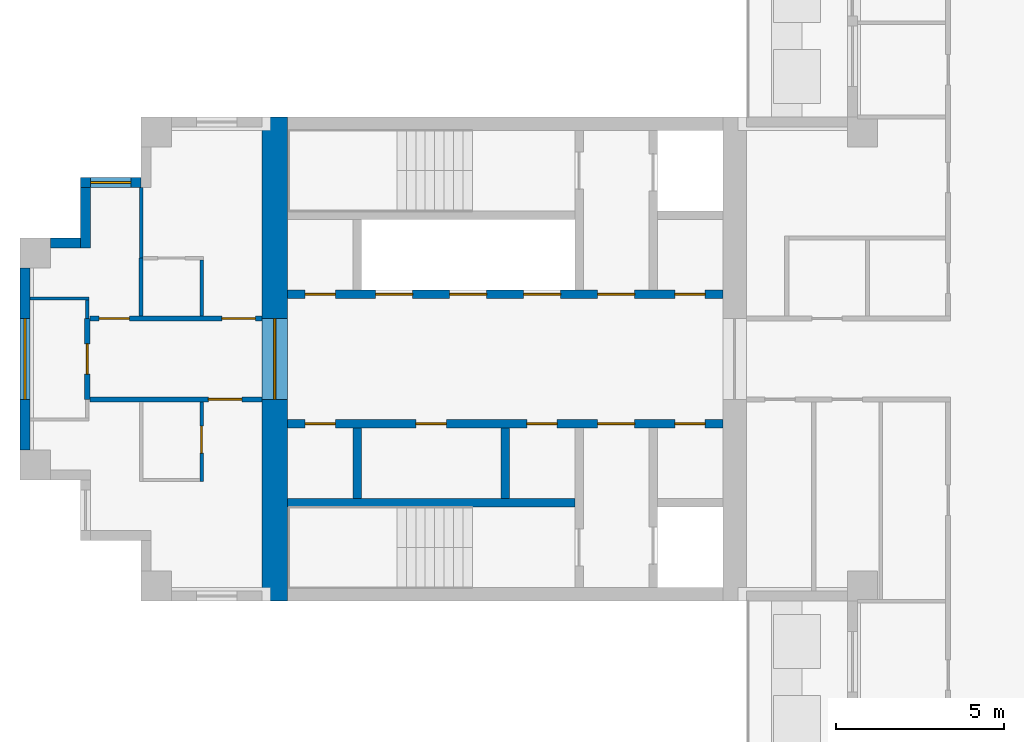
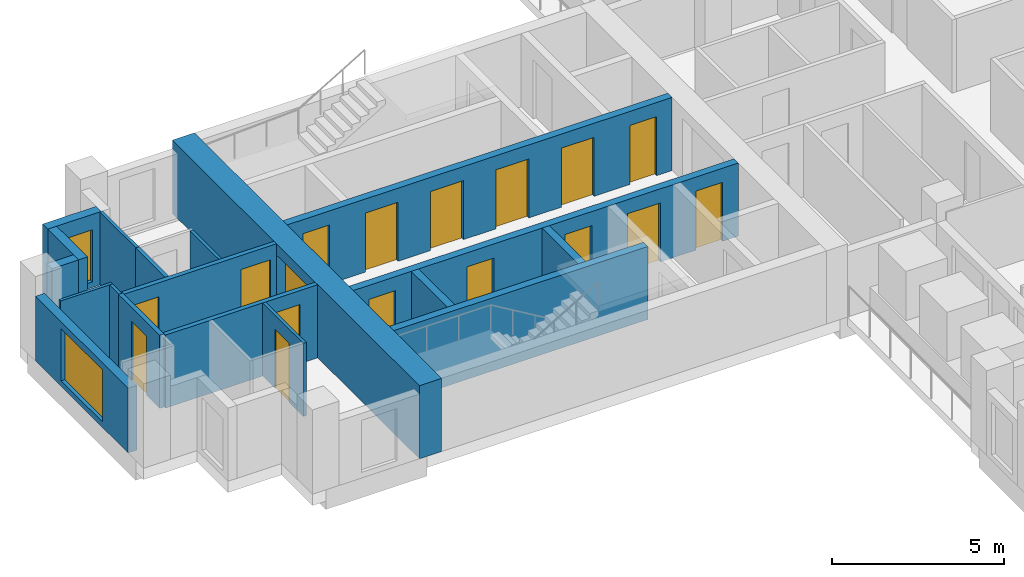
# One storey, part 3 of 10: 19 walls, 17 doors, 2 windows, 19 openings.
"""IFC4 building model written with IfcOpenShell, lengths in metres."""

from ifc_helpers import new_model, si_unit, direction, frame, frame_2d, origin, place, context, subcontext, project, spatial, rectangle, extrude, material, layer, layer_set, type_object, element, fill, save


model = new_model("IFC4")

# Units and contexts
model_context = context("Model", 3, precision=1e-05, world=origin(), true_north=direction((0.0, 1.0)))
body_context = subcontext(model_context, "Body", "Model", "MODEL_VIEW")
ifc_project = project(units=[si_unit("LENGTHUNIT", "METRE"), si_unit("AREAUNIT", "SQUARE_METRE"), si_unit("VOLUMEUNIT", "CUBIC_METRE"), si_unit("PLANEANGLEUNIT", "RADIAN"), si_unit("MASSUNIT", "GRAM", prefix="KILO")], contexts=[model_context])

# Site, building, storey
site_placement = place(None, origin())
site = spatial("IfcSite", under=ifc_project, at=site_placement, CompositionType="ELEMENT")
building_placement = place(site_placement, origin())
building = spatial("IfcBuilding", under=site, at=building_placement, Name="Fustian Cross Tower", CompositionType="ELEMENT")
storey_placement = place(building_placement, frame((0.0, 0.0, 231.89990234375)))
storey = spatial("IfcBuildingStorey", under=building, at=storey_placement, Name="L73", CompositionType="ELEMENT", Elevation=231.89990234375)

# Wall, opening, door
ifc_material_1 = material(Name="Plasterboard on steel stud", Category="steel")
ifc_layer_1 = layer(ifc_material_1, 0.14990234375)
ifc_layer_set_1 = layer_set([ifc_layer_1], Name="Plasterboard on steel stud")
wall_type_1 = type_object("IfcWallType", Name="COMPARTMENT WALL 150 EI 60", PredefinedType="PARTITIONING", material=ifc_layer_set_1)
wall_1_placement = place(storey_placement, frame((-26.800048828125, -1.199951171875, 0.0), z_axis=(0.0, 0.0, 1.0), x_axis=(0.0, 1.0, 0.0)))
wall_1 = element("IfcWall", 1, at=wall_1_placement, inside=storey, type_object=wall_type_1, Name="Partition 4", PredefinedType="PARTITIONING", context=body_context, shape_type="SweptSolid", body=[
    extrude(rectangle(XDim=2.39990234375, YDim=0.14990234375, at=frame_2d((1.199951171875, 0.0))), origin(), (0.0, 0.0, 1.0), 2.60009765625),
])
opening_1_placement = place(wall_1_placement, frame((0.75, 0.0, 0.0)))
opening_1 = element("IfcOpeningElement", 2, at=opening_1_placement, cuts=wall_1, Name="Opening D33026", PredefinedType="OPENING", context=body_context, shape_type="SweptSolid", body=[
    extrude(rectangle(XDim=0.89990234375, YDim=2.10009765625, at=frame_2d((0.449951171875, 1.050048828125))), frame((0.0, 0.0849609375, 0.0), z_axis=(0.0, -1.0, 0.0), x_axis=(1.0, 0.0, 0.0)), (0.0, 0.0, 1.0), 0.169921875),
])
ifc_material_2 = material(Name="Timber fire door set", Category="wood")
door_type_1 = type_object("IfcDoorType", Name="FIRE SWING DOOR 900 FD30S", OperationType="SINGLE_SWING_LEFT", PredefinedType="DOOR", material=ifc_material_2)
door_1_placement = place(opening_1_placement, origin())
door_1 = element("IfcDoor", 3, at=door_1_placement, inside=storey, type_object=door_type_1, Name="Door D33026", OperationType="SINGLE_SWING_LEFT", OverallHeight=2.10009765625, OverallWidth=0.89990234375, PredefinedType="DOOR", context=body_context, shape_type="SweptSolid", body=[
    extrude(rectangle(XDim=0.89990234375, YDim=2.10009765625, at=frame_2d((0.449951171875, 1.050048828125))), frame((0.0, 0.02490234375, 0.0), z_axis=(0.0, -1.0, 0.0), x_axis=(1.0, 0.0, 0.0)), (0.0, 0.0, 1.0), 0.050048828125),
])
fill(opening_1, door_1)

wall_2_placement = place(storey_placement, frame((-26.72509765625, -1.199951171875, 0.0), z_axis=(0.0, 0.0, 1.0), x_axis=(1.0, 0.0, 0.0)))
wall_2 = element("IfcWall", 4, at=wall_2_placement, inside=storey, type_object=wall_type_1, Name="Partition 5", PredefinedType="PARTITIONING", context=body_context, shape_type="SweptSolid", body=[
    extrude(rectangle(XDim=5.125, YDim=0.14990234375, at=frame_2d((2.5625, 0.0))), origin(), (0.0, 0.0, 1.0), 2.60009765625),
])
opening_2_placement = place(wall_2_placement, frame((3.52490234375, 0.0, 0.0)))
opening_2 = element("IfcOpeningElement", 5, at=opening_2_placement, cuts=wall_2, Name="Opening D33028", PredefinedType="OPENING", context=body_context, shape_type="SweptSolid", body=[
    extrude(rectangle(XDim=1.0, YDim=2.10009765625, at=frame_2d((0.5, 1.050048828125))), frame((0.0, 0.0849609375, 0.0), z_axis=(0.0, -1.0, 0.0), x_axis=(1.0, 0.0, 0.0)), (0.0, 0.0, 1.0), 0.169921875),
])
ifc_material_3 = material(Name="Timber fire door set", Category="wood")
door_type_2 = type_object("IfcDoorType", Name="FIRE SWING DOOR 1000 FD30S", OperationType="SINGLE_SWING_LEFT", PredefinedType="DOOR", material=ifc_material_3)
door_2_placement = place(opening_2_placement, frame((1.0, 0.0, 0.0), z_axis=(0.0, 0.0, 1.0), x_axis=(-1.0, 0.0, 0.0)))
door_2 = element("IfcDoor", 6, at=door_2_placement, inside=storey, type_object=door_type_2, Name="Door D33028", OperationType="SINGLE_SWING_RIGHT", OverallHeight=2.10009765625, OverallWidth=1.0, PredefinedType="DOOR", context=body_context, shape_type="SweptSolid", body=[
    extrude(rectangle(XDim=1.0, YDim=2.10009765625, at=frame_2d((0.5, 1.050048828125))), frame((0.0, 0.02490234375, 0.0), z_axis=(0.0, -1.0, 0.0), x_axis=(1.0, 0.0, 0.0)), (0.0, 0.0, 1.0), 0.050048828125),
])
fill(opening_2, door_2)

# Wall, openings, doors
wall_3_placement = place(storey_placement, frame((-26.72509765625, 1.199951171875, 0.0), z_axis=(0.0, 0.0, 1.0), x_axis=(1.0, 0.0, 0.0)))
wall_3 = element("IfcWall", 7, at=wall_3_placement, inside=storey, type_object=wall_type_1, Name="Partition 7", PredefinedType="PARTITIONING", context=body_context, shape_type="SweptSolid", body=[
    extrude(rectangle(XDim=5.125, YDim=0.14990234375, at=frame_2d((2.5625, 0.0))), origin(), (0.0, 0.0, 1.0), 2.60009765625),
])
opening_3_placement = place(wall_3_placement, frame((3.925048828125, 0.0, 0.0)))
opening_3 = element("IfcOpeningElement", 8, at=opening_3_placement, cuts=wall_3, Name="Opening D33030", PredefinedType="OPENING", context=body_context, shape_type="SweptSolid", body=[
    extrude(rectangle(XDim=1.0, YDim=2.10009765625, at=frame_2d((0.5, 1.050048828125))), frame((0.0, 0.0849609375, 0.0), z_axis=(0.0, -1.0, 0.0), x_axis=(1.0, 0.0, 0.0)), (0.0, 0.0, 1.0), 0.169921875),
])
opening_4_placement = place(wall_3_placement, frame((0.27490234375, 0.0, 0.0)))
opening_4 = element("IfcOpeningElement", 9, at=opening_4_placement, cuts=wall_3, Name="Opening D33031", PredefinedType="OPENING", context=body_context, shape_type="SweptSolid", body=[
    extrude(rectangle(XDim=0.89990234375, YDim=2.10009765625, at=frame_2d((0.449951171875, 1.050048828125))), frame((0.0, 0.0849609375, 0.0), z_axis=(0.0, -1.0, 0.0), x_axis=(1.0, 0.0, 0.0)), (0.0, 0.0, 1.0), 0.169921875),
])
door_3_placement = place(opening_3_placement, origin())
door_3 = element("IfcDoor", 10, at=door_3_placement, inside=storey, type_object=door_type_2, Name="Door D33030", OperationType="SINGLE_SWING_RIGHT", OverallHeight=2.10009765625, OverallWidth=1.0, PredefinedType="DOOR", context=body_context, shape_type="SweptSolid", body=[
    extrude(rectangle(XDim=1.0, YDim=2.10009765625, at=frame_2d((0.5, 1.050048828125))), frame((0.0, 0.02490234375, 0.0), z_axis=(0.0, -1.0, 0.0), x_axis=(1.0, 0.0, 0.0)), (0.0, 0.0, 1.0), 0.050048828125),
])
fill(opening_3, door_3)
door_4_placement = place(opening_4_placement, origin())
door_4 = element("IfcDoor", 11, at=door_4_placement, inside=storey, type_object=door_type_1, Name="Door D33031", OperationType="SINGLE_SWING_LEFT", OverallHeight=2.10009765625, OverallWidth=0.89990234375, PredefinedType="DOOR", context=body_context, shape_type="SweptSolid", body=[
    extrude(rectangle(XDim=0.89990234375, YDim=2.10009765625, at=frame_2d((0.449951171875, 1.050048828125))), frame((0.0, 0.02490234375, 0.0), z_axis=(0.0, -1.0, 0.0), x_axis=(1.0, 0.0, 0.0)), (0.0, 0.0, 1.0), 0.050048828125),
])
fill(opening_4, door_4)

# Wall, opening, door
ifc_material_4 = material(Name="Concrete C50/60", Category="concrete")
ifc_layer_2 = layer(ifc_material_4, 0.75)
ifc_layer_set_2 = layer_set([ifc_layer_2], Name="Concrete C50/60")
wall_type_2 = type_object("IfcWallType", Name="CORE END WALL 750 C50/60", PredefinedType="SHEAR", material=ifc_layer_set_2)
wall_4_placement = place(storey_placement, frame((-21.22509765625, -7.199951171875, 0.0), z_axis=(0.0, 0.0, 1.0), x_axis=(0.0, 1.0, 0.0)))
wall_4 = element("IfcWall", 12, at=wall_4_placement, inside=storey, type_object=wall_type_2, Name="Core end wall", PredefinedType="SHEAR", context=body_context, shape_type="SweptSolid", body=[
    extrude(rectangle(XDim=14.39990234375, YDim=0.75, at=frame_2d((7.199951171875, 0.0))), origin(), (0.0, 0.0, 1.0), 2.60009765625),
])
opening_5_placement = place(wall_4_placement, frame((6.0, 0.0, 0.0)))
opening_5 = element("IfcOpeningElement", 13, at=opening_5_placement, cuts=wall_4, Name="Opening CD-28-30", PredefinedType="OPENING", context=body_context, shape_type="SweptSolid", body=[
    extrude(rectangle(XDim=2.39990234375, YDim=2.199951171875, at=frame_2d((1.199951171875, 1.10009765625))), frame((0.0, 0.385009765625, 0.0), z_axis=(0.0, -1.0, 0.0), x_axis=(1.0, 0.0, 0.0)), (0.0, 0.0, 1.0), 0.77001953125),
])
ifc_material_5 = material(Name="Steel", Category="steel")
door_type_3 = type_object("IfcDoorType", Name="FIRE DOOR FD30S DOUBLE 2400X2200", OperationType="DOUBLE_DOOR_DOUBLE_SWING", PredefinedType="DOOR", material=ifc_material_5)
door_5_placement = place(opening_5_placement, frame((2.39990234375, 0.0, 0.0), z_axis=(0.0, 0.0, 1.0), x_axis=(-1.0, 0.0, 0.0)))
door_5 = element("IfcDoor", 14, at=door_5_placement, inside=storey, type_object=door_type_3, Name="Core door CD-28-30", OperationType="DOUBLE_DOOR_DOUBLE_SWING", OverallHeight=2.199951171875, OverallWidth=2.39990234375, PredefinedType="DOOR", context=body_context, shape_type="SweptSolid", body=[
    extrude(rectangle(XDim=2.39990234375, YDim=2.199951171875, at=frame_2d((1.199951171875, 1.10009765625))), frame((0.0, 0.02490234375, 0.0), z_axis=(0.0, -1.0, 0.0), x_axis=(1.0, 0.0, 0.0)), (0.0, 0.0, 1.0), 0.050048828125),
])
fill(opening_5, door_5)

# Wall, openings, doors
ifc_material_6 = material(Name="Concrete C50/60", Category="concrete")
ifc_layer_3 = layer(ifc_material_6, 0.25)
ifc_layer_set_3 = layer_set([ifc_layer_3], Name="Concrete C50/60")
wall_type_3 = type_object("IfcWallType", Name="CORE LOBBY WALL 250 C50/60", PredefinedType="SHEAR", material=ifc_layer_set_3)
wall_5_placement = place(storey_placement, frame((-7.89990234375, 1.925048828125, 0.0), z_axis=(0.0, 0.0, 1.0), x_axis=(-1.0, 0.0, 0.0)))
wall_5 = element("IfcWall", 15, at=wall_5_placement, inside=storey, type_object=wall_type_3, Name="Core lobby wall", PredefinedType="SHEAR", context=body_context, shape_type="SweptSolid", body=[
    extrude(rectangle(XDim=12.9501953125, YDim=0.25, at=frame_2d((6.47509765625, 0.0))), origin(), (0.0, 0.0, 1.0), 2.60009765625),
])
opening_6_placement = place(wall_5_placement, frame((4.824951171875, 0.0, 0.0)))
opening_6 = element("IfcOpeningElement", 16, at=opening_6_placement, cuts=wall_5, Name="Opening LD", PredefinedType="OPENING", context=body_context, shape_type="SweptSolid", body=[
    extrude(rectangle(XDim=1.10009765625, YDim=2.10009765625, at=frame_2d((0.550048828125, 1.050048828125))), frame((0.0, 0.135009765625, 0.0), z_axis=(0.0, -1.0, 0.0), x_axis=(1.0, 0.0, 0.0)), (0.0, 0.0, 1.0), 0.27001953125),
])
opening_7_placement = place(wall_5_placement, frame((7.02490234375, 0.0, 0.0)))
opening_7 = element("IfcOpeningElement", 17, at=opening_7_placement, cuts=wall_5, Name="Opening LD", PredefinedType="OPENING", context=body_context, shape_type="SweptSolid", body=[
    extrude(rectangle(XDim=1.10009765625, YDim=2.10009765625, at=frame_2d((0.550048828125, 1.050048828125))), frame((0.0, 0.135009765625, 0.0), z_axis=(0.0, -1.0, 0.0), x_axis=(1.0, 0.0, 0.0)), (0.0, 0.0, 1.0), 0.27001953125),
])
opening_8_placement = place(wall_5_placement, frame((9.22509765625, 0.0, 0.0)))
opening_8 = element("IfcOpeningElement", 18, at=opening_8_placement, cuts=wall_5, Name="Opening LD", PredefinedType="OPENING", context=body_context, shape_type="SweptSolid", body=[
    extrude(rectangle(XDim=1.10009765625, YDim=2.10009765625, at=frame_2d((0.550048828125, 1.050048828125))), frame((0.0, 0.135009765625, 0.0), z_axis=(0.0, -1.0, 0.0), x_axis=(1.0, 0.0, 0.0)), (0.0, 0.0, 1.0), 0.27001953125),
])
opening_9_placement = place(wall_5_placement, frame((0.52490234375, 0.0, 0.0)))
opening_9 = element("IfcOpeningElement", 19, at=opening_9_placement, cuts=wall_5, Name="Opening CD-28-25", PredefinedType="OPENING", context=body_context, shape_type="SweptSolid", body=[
    extrude(rectangle(XDim=0.89990234375, YDim=2.10009765625, at=frame_2d((0.449951171875, 1.050048828125))), frame((0.0, 0.135009765625, 0.0), z_axis=(0.0, -1.0, 0.0), x_axis=(1.0, 0.0, 0.0)), (0.0, 0.0, 1.0), 0.27001953125),
])
opening_10_placement = place(wall_5_placement, frame((2.625, 0.0, 0.0)))
opening_10 = element("IfcOpeningElement", 20, at=opening_10_placement, cuts=wall_5, Name="Opening CD-28-27", PredefinedType="OPENING", context=body_context, shape_type="SweptSolid", body=[
    extrude(rectangle(XDim=1.10009765625, YDim=2.10009765625, at=frame_2d((0.550048828125, 1.050048828125))), frame((0.0, 0.135009765625, 0.0), z_axis=(0.0, -1.0, 0.0), x_axis=(1.0, 0.0, 0.0)), (0.0, 0.0, 1.0), 0.27001953125),
])
opening_11_placement = place(wall_5_placement, frame((11.52490234375, 0.0, 0.0)))
opening_11 = element("IfcOpeningElement", 21, at=opening_11_placement, cuts=wall_5, Name="Opening CD-28-31", PredefinedType="OPENING", context=body_context, shape_type="SweptSolid", body=[
    extrude(rectangle(XDim=0.89990234375, YDim=2.10009765625, at=frame_2d((0.449951171875, 1.050048828125))), frame((0.0, 0.135009765625, 0.0), z_axis=(0.0, -1.0, 0.0), x_axis=(1.0, 0.0, 0.0)), (0.0, 0.0, 1.0), 0.27001953125),
])
ifc_material_7 = material(Name="Steel", Category="steel")
door_type_4 = type_object("IfcDoorType", Name="FIRE DOOR FD30S 900X2100", OperationType="SINGLE_SWING_LEFT", PredefinedType="DOOR", material=ifc_material_7)
door_6_placement = place(opening_11_placement, frame((0.89990234375, 0.0, 0.0), z_axis=(0.0, 0.0, 1.0), x_axis=(-1.0, 0.0, 0.0)))
door_6 = element("IfcDoor", 22, at=door_6_placement, inside=storey, type_object=door_type_4, Name="Core door CD-28-31", OperationType="SINGLE_SWING_RIGHT", OverallHeight=2.10009765625, OverallWidth=0.89990234375, PredefinedType="DOOR", context=body_context, shape_type="SweptSolid", body=[
    extrude(rectangle(XDim=0.89990234375, YDim=2.10009765625, at=frame_2d((0.449951171875, 1.050048828125))), frame((0.0, 0.02490234375, 0.0), z_axis=(0.0, -1.0, 0.0), x_axis=(1.0, 0.0, 0.0)), (0.0, 0.0, 1.0), 0.050048828125),
])
fill(opening_11, door_6)
ifc_material_8 = material(Name="Steel", Category="steel")
door_type_5 = type_object("IfcDoorType", Name="FIRE DOOR FD60S 1100X2100", OperationType="SINGLE_SWING_LEFT", PredefinedType="DOOR", material=ifc_material_8)
door_7_placement = place(opening_10_placement, frame((1.10009765625, 0.0, 0.0), z_axis=(0.0, 0.0, 1.0), x_axis=(-1.0, 0.0, 0.0)))
door_7 = element("IfcDoor", 23, at=door_7_placement, inside=storey, type_object=door_type_5, Name="Core door CD-28-27", OperationType="SINGLE_SWING_RIGHT", OverallHeight=2.10009765625, OverallWidth=1.10009765625, PredefinedType="DOOR", context=body_context, shape_type="SweptSolid", body=[
    extrude(rectangle(XDim=1.10009765625, YDim=2.10009765625, at=frame_2d((0.550048828125, 1.050048828125))), frame((0.0, 0.02490234375, 0.0), z_axis=(0.0, -1.0, 0.0), x_axis=(1.0, 0.0, 0.0)), (0.0, 0.0, 1.0), 0.050048828125),
])
fill(opening_10, door_7)
ifc_material_9 = material(Name="Steel", Category="steel")
door_type_6 = type_object("IfcDoorType", Name="FIRE DOOR FD60S 900X2100", OperationType="SINGLE_SWING_LEFT", PredefinedType="DOOR", material=ifc_material_9)
door_8_placement = place(opening_9_placement, frame((0.89990234375, 0.0, 0.0), z_axis=(0.0, 0.0, 1.0), x_axis=(-1.0, 0.0, 0.0)))
door_8 = element("IfcDoor", 24, at=door_8_placement, inside=storey, type_object=door_type_6, Name="Core door CD-28-25", OperationType="SINGLE_SWING_RIGHT", OverallHeight=2.10009765625, OverallWidth=0.89990234375, PredefinedType="DOOR", context=body_context, shape_type="SweptSolid", body=[
    extrude(rectangle(XDim=0.89990234375, YDim=2.10009765625, at=frame_2d((0.449951171875, 1.050048828125))), frame((0.0, 0.02490234375, 0.0), z_axis=(0.0, -1.0, 0.0), x_axis=(1.0, 0.0, 0.0)), (0.0, 0.0, 1.0), 0.050048828125),
])
fill(opening_9, door_8)
ifc_material_10 = material(Name="Stainless steel", Category="steel")
door_type_7 = type_object("IfcDoorType", Name="LIFT LANDING DOOR 1100X2100", OperationType="SLIDING_TO_LEFT", PredefinedType="DOOR", material=ifc_material_10)
door_9_placement = place(opening_6_placement, origin())
door_9 = element("IfcDoor", 25, at=door_9_placement, inside=storey, type_object=door_type_7, Name="Landing door HR1W", OperationType="SLIDING_TO_LEFT", OverallHeight=2.10009765625, OverallWidth=1.10009765625, PredefinedType="DOOR", context=body_context, shape_type="SweptSolid", body=[
    extrude(rectangle(XDim=1.10009765625, YDim=2.10009765625, at=frame_2d((0.550048828125, 1.050048828125))), frame((0.0, 0.02490234375, 0.0), z_axis=(0.0, -1.0, 0.0), x_axis=(1.0, 0.0, 0.0)), (0.0, 0.0, 1.0), 0.050048828125),
])
fill(opening_6, door_9)
door_10_placement = place(opening_7_placement, origin())
door_10 = element("IfcDoor", 26, at=door_10_placement, inside=storey, type_object=door_type_7, Name="Landing door HR2W", OperationType="SLIDING_TO_LEFT", OverallHeight=2.10009765625, OverallWidth=1.10009765625, PredefinedType="DOOR", context=body_context, shape_type="SweptSolid", body=[
    extrude(rectangle(XDim=1.10009765625, YDim=2.10009765625, at=frame_2d((0.550048828125, 1.050048828125))), frame((0.0, 0.02490234375, 0.0), z_axis=(0.0, -1.0, 0.0), x_axis=(1.0, 0.0, 0.0)), (0.0, 0.0, 1.0), 0.050048828125),
])
fill(opening_7, door_10)
door_11_placement = place(opening_8_placement, origin())
door_11 = element("IfcDoor", 27, at=door_11_placement, inside=storey, type_object=door_type_7, Name="Landing door HR3W", OperationType="SLIDING_TO_LEFT", OverallHeight=2.10009765625, OverallWidth=1.10009765625, PredefinedType="DOOR", context=body_context, shape_type="SweptSolid", body=[
    extrude(rectangle(XDim=1.10009765625, YDim=2.10009765625, at=frame_2d((0.550048828125, 1.050048828125))), frame((0.0, 0.02490234375, 0.0), z_axis=(0.0, -1.0, 0.0), x_axis=(1.0, 0.0, 0.0)), (0.0, 0.0, 1.0), 0.050048828125),
])
fill(opening_8, door_11)

wall_6_placement = place(storey_placement, frame((-7.89990234375, -1.925048828125, 0.0), z_axis=(0.0, 0.0, 1.0), x_axis=(-1.0, 0.0, 0.0)))
wall_6 = element("IfcWall", 28, at=wall_6_placement, inside=storey, type_object=wall_type_3, Name="Core lobby wall", PredefinedType="SHEAR", context=body_context, shape_type="SweptSolid", body=[
    extrude(rectangle(XDim=12.9501953125, YDim=0.25, at=frame_2d((6.47509765625, 0.0))), origin(), (0.0, 0.0, 1.0), 2.60009765625),
])
opening_12_placement = place(wall_6_placement, frame((0.52490234375, 0.0, 0.0)))
opening_12 = element("IfcOpeningElement", 29, at=opening_12_placement, cuts=wall_6, Name="Opening CD-28-26", PredefinedType="OPENING", context=body_context, shape_type="SweptSolid", body=[
    extrude(rectangle(XDim=0.89990234375, YDim=2.10009765625, at=frame_2d((0.449951171875, 1.050048828125))), frame((0.0, 0.135009765625, 0.0), z_axis=(0.0, -1.0, 0.0), x_axis=(1.0, 0.0, 0.0)), (0.0, 0.0, 1.0), 0.27001953125),
])
opening_13_placement = place(wall_6_placement, frame((2.625, 0.0, 0.0)))
opening_13 = element("IfcOpeningElement", 30, at=opening_13_placement, cuts=wall_6, Name="Opening CD-28-28", PredefinedType="OPENING", context=body_context, shape_type="SweptSolid", body=[
    extrude(rectangle(XDim=1.10009765625, YDim=2.10009765625, at=frame_2d((0.550048828125, 1.050048828125))), frame((0.0, 0.135009765625, 0.0), z_axis=(0.0, -1.0, 0.0), x_axis=(1.0, 0.0, 0.0)), (0.0, 0.0, 1.0), 0.27001953125),
])
opening_14_placement = place(wall_6_placement, frame((4.925048828125, 0.0, 0.0)))
opening_14 = element("IfcOpeningElement", 31, at=opening_14_placement, cuts=wall_6, Name="Opening CD-28-32", PredefinedType="OPENING", context=body_context, shape_type="SweptSolid", body=[
    extrude(rectangle(XDim=0.89990234375, YDim=2.10009765625, at=frame_2d((0.449951171875, 1.050048828125))), frame((0.0, 0.135009765625, 0.0), z_axis=(0.0, -1.0, 0.0), x_axis=(1.0, 0.0, 0.0)), (0.0, 0.0, 1.0), 0.27001953125),
])
opening_15_placement = place(wall_6_placement, frame((8.22509765625, 0.0, 0.0)))
opening_15 = element("IfcOpeningElement", 32, at=opening_15_placement, cuts=wall_6, Name="Opening CD-28-33", PredefinedType="OPENING", context=body_context, shape_type="SweptSolid", body=[
    extrude(rectangle(XDim=0.89990234375, YDim=2.10009765625, at=frame_2d((0.449951171875, 1.050048828125))), frame((0.0, 0.135009765625, 0.0), z_axis=(0.0, -1.0, 0.0), x_axis=(1.0, 0.0, 0.0)), (0.0, 0.0, 1.0), 0.27001953125),
])
opening_16_placement = place(wall_6_placement, frame((11.52490234375, 0.0, 0.0)))
opening_16 = element("IfcOpeningElement", 33, at=opening_16_placement, cuts=wall_6, Name="Opening CD-28-34", PredefinedType="OPENING", context=body_context, shape_type="SweptSolid", body=[
    extrude(rectangle(XDim=0.89990234375, YDim=2.10009765625, at=frame_2d((0.449951171875, 1.050048828125))), frame((0.0, 0.135009765625, 0.0), z_axis=(0.0, -1.0, 0.0), x_axis=(1.0, 0.0, 0.0)), (0.0, 0.0, 1.0), 0.27001953125),
])
ifc_material_11 = material(Name="Steel", Category="steel")
door_type_8 = type_object("IfcDoorType", Name="FIRE DOOR FD30S 1100X2100", OperationType="SINGLE_SWING_LEFT", PredefinedType="DOOR", material=ifc_material_11)
door_12_placement = place(opening_13_placement, frame((1.10009765625, 0.0, 0.0), z_axis=(0.0, 0.0, 1.0), x_axis=(-1.0, 0.0, 0.0)))
door_12 = element("IfcDoor", 34, at=door_12_placement, inside=storey, type_object=door_type_8, Name="Core door CD-28-28", OperationType="SINGLE_SWING_RIGHT", OverallHeight=2.10009765625, OverallWidth=1.10009765625, PredefinedType="DOOR", context=body_context, shape_type="SweptSolid", body=[
    extrude(rectangle(XDim=1.10009765625, YDim=2.10009765625, at=frame_2d((0.550048828125, 1.050048828125))), frame((0.0, 0.02490234375, 0.0), z_axis=(0.0, -1.0, 0.0), x_axis=(1.0, 0.0, 0.0)), (0.0, 0.0, 1.0), 0.050048828125),
])
fill(opening_13, door_12)
door_13_placement = place(opening_12_placement, origin())
door_13 = element("IfcDoor", 35, at=door_13_placement, inside=storey, type_object=door_type_4, Name="Core door CD-28-26", OperationType="SINGLE_SWING_LEFT", OverallHeight=2.10009765625, OverallWidth=0.89990234375, PredefinedType="DOOR", context=body_context, shape_type="SweptSolid", body=[
    extrude(rectangle(XDim=0.89990234375, YDim=2.10009765625, at=frame_2d((0.449951171875, 1.050048828125))), frame((0.0, 0.02490234375, 0.0), z_axis=(0.0, -1.0, 0.0), x_axis=(1.0, 0.0, 0.0)), (0.0, 0.0, 1.0), 0.050048828125),
])
fill(opening_12, door_13)
door_14_placement = place(opening_14_placement, origin())
door_14 = element("IfcDoor", 36, at=door_14_placement, inside=storey, type_object=door_type_4, Name="Core door CD-28-32", OperationType="SINGLE_SWING_LEFT", OverallHeight=2.10009765625, OverallWidth=0.89990234375, PredefinedType="DOOR", context=body_context, shape_type="SweptSolid", body=[
    extrude(rectangle(XDim=0.89990234375, YDim=2.10009765625, at=frame_2d((0.449951171875, 1.050048828125))), frame((0.0, 0.02490234375, 0.0), z_axis=(0.0, -1.0, 0.0), x_axis=(1.0, 0.0, 0.0)), (0.0, 0.0, 1.0), 0.050048828125),
])
fill(opening_14, door_14)
door_15_placement = place(opening_15_placement, origin())
door_15 = element("IfcDoor", 37, at=door_15_placement, inside=storey, type_object=door_type_4, Name="Core door CD-28-33", OperationType="SINGLE_SWING_RIGHT", OverallHeight=2.10009765625, OverallWidth=0.89990234375, PredefinedType="DOOR", context=body_context, shape_type="SweptSolid", body=[
    extrude(rectangle(XDim=0.89990234375, YDim=2.10009765625, at=frame_2d((0.449951171875, 1.050048828125))), frame((0.0, 0.02490234375, 0.0), z_axis=(0.0, -1.0, 0.0), x_axis=(1.0, 0.0, 0.0)), (0.0, 0.0, 1.0), 0.050048828125),
])
fill(opening_15, door_15)
door_16_placement = place(opening_16_placement, origin())
door_16 = element("IfcDoor", 38, at=door_16_placement, inside=storey, type_object=door_type_4, Name="Core door CD-28-34", OperationType="SINGLE_SWING_LEFT", OverallHeight=2.10009765625, OverallWidth=0.89990234375, PredefinedType="DOOR", context=body_context, shape_type="SweptSolid", body=[
    extrude(rectangle(XDim=0.89990234375, YDim=2.10009765625, at=frame_2d((0.449951171875, 1.050048828125))), frame((0.0, 0.02490234375, 0.0), z_axis=(0.0, -1.0, 0.0), x_axis=(1.0, 0.0, 0.0)), (0.0, 0.0, 1.0), 0.050048828125),
])
fill(opening_16, door_16)

# Walls
ifc_material_12 = material(Name="Concrete C50/60", Category="concrete")
ifc_layer_4 = layer(ifc_material_12, 0.25)
ifc_layer_set_4 = layer_set([ifc_layer_4], Name="Concrete C50/60")
wall_type_4 = type_object("IfcWallType", Name="CORE SHAFT WALL 250 C50/60", PredefinedType="SHEAR", material=ifc_layer_set_4)
wall_7_placement = place(storey_placement, frame((-12.300048828125, -4.27490234375, 0.0), z_axis=(0.0, 0.0, 1.0), x_axis=(-1.0, 0.0, 0.0)))
element("IfcWall", 39, at=wall_7_placement, inside=storey, type_object=wall_type_4, Name="Core shaft wall", PredefinedType="SHEAR", context=body_context, shape_type="SweptSolid", body=[
    extrude(rectangle(XDim=8.550048828125, YDim=0.25, at=frame_2d((4.27490234375, 0.0))), origin(), (0.0, 0.0, 1.0), 2.60009765625),
])
ifc_material_13 = material(Name="Plasterboard on steel stud", Category="steel")
ifc_layer_5 = layer(ifc_material_13, 0.10009765625)
ifc_layer_set_5 = layer_set([ifc_layer_5], Name="Plasterboard on steel stud")
wall_type_5 = type_object("IfcWallType", Name="PARTITION 100 STUD", PredefinedType="PARTITIONING", material=ifc_layer_set_5)
wall_8_placement = place(storey_placement, frame((-28.5, 1.800048828125, 0.0), z_axis=(0.0, 0.0, 1.0), x_axis=(1.0, 0.0, 0.0)))
element("IfcWall", 40, at=wall_8_placement, inside=storey, type_object=wall_type_5, Name="Partition 2", PredefinedType="PARTITIONING", context=body_context, shape_type="SweptSolid", body=[
    extrude(rectangle(XDim=1.75, YDim=0.10009765625, at=frame_2d((0.875, 0.0))), origin(), (0.0, 0.0, 1.0), 2.60009765625),
])
wall_9_placement = place(storey_placement, frame((-26.800048828125, 1.199951171875, 0.0), z_axis=(0.0, 0.0, 1.0), x_axis=(0.0, 1.0, 0.0)))
element("IfcWall", 41, at=wall_9_placement, inside=storey, type_object=wall_type_5, Name="Partition 6", PredefinedType="PARTITIONING", context=body_context, shape_type="SweptSolid", body=[
    extrude(rectangle(XDim=0.550048828125, YDim=0.10009765625, at=frame_2d((0.27490234375, 0.0))), origin(), (0.0, 0.0, 1.0), 2.60009765625),
])
wall_10_placement = place(storey_placement, frame((-25.199951171875, 3.0, 0.0), z_axis=(0.0, 0.0, 1.0), x_axis=(0.0, 1.0, 0.0)))
element("IfcWall", 42, at=wall_10_placement, inside=storey, type_object=wall_type_5, Name="Partition 11", PredefinedType="PARTITIONING", context=body_context, shape_type="SweptSolid", body=[
    extrude(rectangle(XDim=2.10009765625, YDim=0.10009765625, at=frame_2d((1.050048828125, 0.0))), origin(), (0.0, 0.0, 1.0), 2.60009765625),
])

# Wall, opening, door
wall_11_placement = place(storey_placement, frame((-23.39990234375, -3.64990234375, 0.0), z_axis=(0.0, 0.0, 1.0), x_axis=(0.0, 1.0, 0.0)))
wall_11 = element("IfcWall", 43, at=wall_11_placement, inside=storey, type_object=wall_type_5, Name="Partition 13", PredefinedType="PARTITIONING", context=body_context, shape_type="SweptSolid", body=[
    extrude(rectangle(XDim=2.375, YDim=0.10009765625, at=frame_2d((1.1875, 0.0))), origin(), (0.0, 0.0, 1.0), 2.60009765625),
])
opening_17_placement = place(wall_11_placement, frame((0.85009765625, 0.0, 0.0)))
opening_17 = element("IfcOpeningElement", 44, at=opening_17_placement, cuts=wall_11, Name="Opening D33027", PredefinedType="OPENING", context=body_context, shape_type="SweptSolid", body=[
    extrude(rectangle(XDim=0.800048828125, YDim=2.10009765625, at=frame_2d((0.39990234375, 1.050048828125))), frame((0.0, 0.06005859375, 0.0), z_axis=(0.0, -1.0, 0.0), x_axis=(1.0, 0.0, 0.0)), (0.0, 0.0, 1.0), 0.1201171875),
])
ifc_material_14 = material(Name="Painted timber", Category="wood")
door_type_9 = type_object("IfcDoorType", Name="SWING DOOR 800", OperationType="SINGLE_SWING_LEFT", PredefinedType="DOOR", material=ifc_material_14)
door_17_placement = place(opening_17_placement, origin())
door_17 = element("IfcDoor", 45, at=door_17_placement, inside=storey, type_object=door_type_9, Name="Door D33027", OperationType="SINGLE_SWING_LEFT", OverallHeight=2.10009765625, OverallWidth=0.800048828125, PredefinedType="DOOR", context=body_context, shape_type="SweptSolid", body=[
    extrude(rectangle(XDim=0.800048828125, YDim=2.10009765625, at=frame_2d((0.39990234375, 1.050048828125))), frame((0.0, 0.02490234375, 0.0), z_axis=(0.0, -1.0, 0.0), x_axis=(1.0, 0.0, 0.0)), (0.0, 0.0, 1.0), 0.050048828125),
])
fill(opening_17, door_17)

# Walls
wall_12_placement = place(storey_placement, frame((-23.39990234375, 1.27490234375, 0.0), z_axis=(0.0, 0.0, 1.0), x_axis=(0.0, 1.0, 0.0)))
element("IfcWall", 46, at=wall_12_placement, inside=storey, type_object=wall_type_5, Name="Partition 14", PredefinedType="PARTITIONING", context=body_context, shape_type="SweptSolid", body=[
    extrude(rectangle(XDim=1.675048828125, YDim=0.10009765625, at=frame_2d((0.83740234375, 0.0))), origin(), (0.0, 0.0, 1.0), 2.60009765625),
])
ifc_material_15 = material(Name="Concrete C40/50", Category="concrete")
ifc_layer_6 = layer(ifc_material_15, 0.25)
ifc_layer_set_6 = layer_set([ifc_layer_6], Name="Concrete C40/50")
wall_type_6 = type_object("IfcWallType", Name="SHAFT PARTITION WALL 250 C40/50", PredefinedType="PARTITIONING", material=ifc_layer_set_6)
for number, where, z_axis, x_axis, name in (
    (47, (-14.375, -2.050048828125, 0.0), (0.0, 0.0, 1.0), (0.0, -1.0, 0.0), "Core shaft wall"),
    (48, (-18.77490234375, -2.050048828125, 0.0), (0.0, 0.0, 1.0), (0.0, -1.0, 0.0), "Core shaft wall"),
):
    element("IfcWall", number, at=place(storey_placement, frame(where, z_axis=z_axis, x_axis=x_axis)), inside=storey, type_object=wall_type_6, Name=name, PredefinedType="PARTITIONING", context=body_context, shape_type="SweptSolid", body=[
        extrude(rectangle(XDim=2.099853515625, YDim=0.25, at=frame_2d((1.0498046875, 0.0))), origin(), (0.0, 0.0, 1.0), 2.60009765625),
    ])
ifc_material_16 = material(Name="Plasterboard on steel stud", Category="steel")
ifc_layer_7 = layer(ifc_material_16, 0.125)
ifc_layer_set_7 = layer_set([ifc_layer_7], Name="Plasterboard on steel stud")
wall_type_7 = type_object("IfcWallType", Name="WET WALL 125 STUD", PredefinedType="PARTITIONING", material=ifc_layer_set_7)
wall_13_placement = place(storey_placement, frame((-25.199951171875, 1.27490234375, 0.0), z_axis=(0.0, 0.0, 1.0), x_axis=(0.0, 1.0, 0.0)))
element("IfcWall", 49, at=wall_13_placement, inside=storey, type_object=wall_type_7, Name="Partition 10", PredefinedType="PARTITIONING", context=body_context, shape_type="SweptSolid", body=[
    extrude(rectangle(XDim=1.72509765625, YDim=0.125, at=frame_2d((0.862548828125, 0.0))), origin(), (0.0, 0.0, 1.0), 2.60009765625),
])

# Wall, opening, window
ifc_material_17 = material(Name="Dark aluminium cladding on insulated backing wall", Category="aluminium")
ifc_layer_8 = layer(ifc_material_17, 0.300048828125)
ifc_layer_set_8 = layer_set([ifc_layer_8], Name="Dark aluminium cladding on insulated backing wall")
wall_type_8 = type_object("IfcWallType", Name="XW1 EXTERNAL WALL 300", PredefinedType="SOLIDWALL", material=ifc_layer_set_8)
wall_14_placement = place(storey_placement, frame((-25.199951171875, 5.25, 0.0), z_axis=(0.0, 0.0, 1.0), x_axis=(-1.0, 0.0, 0.0)))
wall_14 = element("IfcWall", 50, at=wall_14_placement, inside=storey, type_object=wall_type_8, Name="External wall", PredefinedType="SOLIDWALL", context=body_context, shape_type="SweptSolid", body=[
    extrude(rectangle(XDim=1.800048828125, YDim=0.300048828125, at=frame_2d((0.89990234375, 0.0))), origin(), (0.0, 0.0, 1.0), 2.60009765625),
])
opening_18_placement = place(wall_14_placement, frame((0.300048828125, 0.0, 0.199951171875)))
opening_18 = element("IfcOpeningElement", 51, at=opening_18_placement, cuts=wall_14, Name="Opening WN3", PredefinedType="OPENING", context=body_context, shape_type="SweptSolid", body=[
    extrude(rectangle(XDim=1.199951171875, YDim=1.85009765625, at=frame_2d((0.60009765625, 0.925048828125))), frame((0.0, 0.159912109375, 0.0), z_axis=(0.0, -1.0, 0.0), x_axis=(1.0, 0.0, 0.0)), (0.0, 0.0, 1.0), 0.320068359375),
])
ifc_material_18 = material(Name="Dark anodised aluminium and double glazing", Category="aluminium")
window_type_1 = type_object("IfcWindowType", Name="WN3 WINDOW 1200X1850", PartitioningType="SINGLE_PANEL", PredefinedType="WINDOW", material=ifc_material_18)
window_1_placement = place(opening_18_placement, origin())
window_1 = element("IfcWindow", 52, at=window_1_placement, inside=storey, type_object=window_type_1, Name="Window", OverallHeight=1.85009765625, OverallWidth=1.199951171875, PartitioningType="SINGLE_PANEL", PredefinedType="WINDOW", context=body_context, shape_type="SweptSolid", body=[
    extrude(rectangle(XDim=1.199951171875, YDim=1.85009765625, at=frame_2d((0.60009765625, 0.925048828125))), frame((0.0, 0.030029296875, 0.0), z_axis=(0.0, -1.0, 0.0), x_axis=(1.0, 0.0, 0.0)), (0.0, 0.0, 1.0), 0.06005859375),
])
fill(opening_18, window_1)

# Walls
wall_15_placement = place(storey_placement, frame((-26.85009765625, 5.10009765625, 0.0), z_axis=(0.0, 0.0, 1.0), x_axis=(0.0, -1.0, 0.0)))
element("IfcWall", 53, at=wall_15_placement, inside=storey, type_object=wall_type_8, Name="External wall", PredefinedType="SOLIDWALL", context=body_context, shape_type="SweptSolid", body=[
    extrude(rectangle(XDim=1.800048828125, YDim=0.300048828125, at=frame_2d((0.89990234375, 0.0))), origin(), (0.0, 0.0, 1.0), 2.60009765625),
])
wall_16_placement = place(storey_placement, frame((-27.0, 3.449951171875, 0.0), z_axis=(0.0, 0.0, 1.0), x_axis=(-1.0, 0.0, 0.0)))
element("IfcWall", 54, at=wall_16_placement, inside=storey, type_object=wall_type_8, Name="External wall", PredefinedType="SOLIDWALL", context=body_context, shape_type="SweptSolid", body=[
    extrude(rectangle(XDim=0.89990234375, YDim=0.300048828125, at=frame_2d((0.449951171875, 0.0))), origin(), (0.0, 0.0, 1.0), 2.60009765625),
])

# Wall, opening, window
wall_17_placement = place(storey_placement, frame((-28.64990234375, 2.699951171875, 0.0), z_axis=(0.0, 0.0, 1.0), x_axis=(0.0, -1.0, 0.0)))
wall_17 = element("IfcWall", 55, at=wall_17_placement, inside=storey, type_object=wall_type_8, Name="External wall", PredefinedType="SOLIDWALL", context=body_context, shape_type="SweptSolid", body=[
    extrude(rectangle(XDim=5.39990234375, YDim=0.300048828125, at=frame_2d((2.699951171875, 0.0))), origin(), (0.0, 0.0, 1.0), 2.300048828125),
])
opening_19_placement = place(wall_17_placement, frame((1.5, 0.0, 0.199951171875)))
opening_19 = element("IfcOpeningElement", 56, at=opening_19_placement, cuts=wall_17, Name="Opening WN1", PredefinedType="OPENING", context=body_context, shape_type="SweptSolid", body=[
    extrude(rectangle(XDim=2.39990234375, YDim=1.85009765625, at=frame_2d((1.199951171875, 0.925048828125))), frame((0.0, 0.159912109375, 0.0), z_axis=(0.0, -1.0, 0.0), x_axis=(1.0, 0.0, 0.0)), (0.0, 0.0, 1.0), 0.320068359375),
])
ifc_material_19 = material(Name="Dark anodised aluminium and double glazing", Category="aluminium")
window_type_2 = type_object("IfcWindowType", Name="WN1 WINDOW 2400X1850", PartitioningType="SINGLE_PANEL", PredefinedType="WINDOW", material=ifc_material_19)
window_2_placement = place(opening_19_placement, origin())
window_2 = element("IfcWindow", 57, at=window_2_placement, inside=storey, type_object=window_type_2, Name="Window", OverallHeight=1.85009765625, OverallWidth=2.39990234375, PartitioningType="SINGLE_PANEL", PredefinedType="WINDOW", context=body_context, shape_type="SweptSolid", body=[
    extrude(rectangle(XDim=2.39990234375, YDim=1.85009765625, at=frame_2d((1.199951171875, 0.925048828125))), frame((0.0, 0.030029296875, 0.0), z_axis=(0.0, -1.0, 0.0), x_axis=(1.0, 0.0, 0.0)), (0.0, 0.0, 1.0), 0.06005859375),
])
fill(opening_19, window_2)

save(model, "model.ifc")
